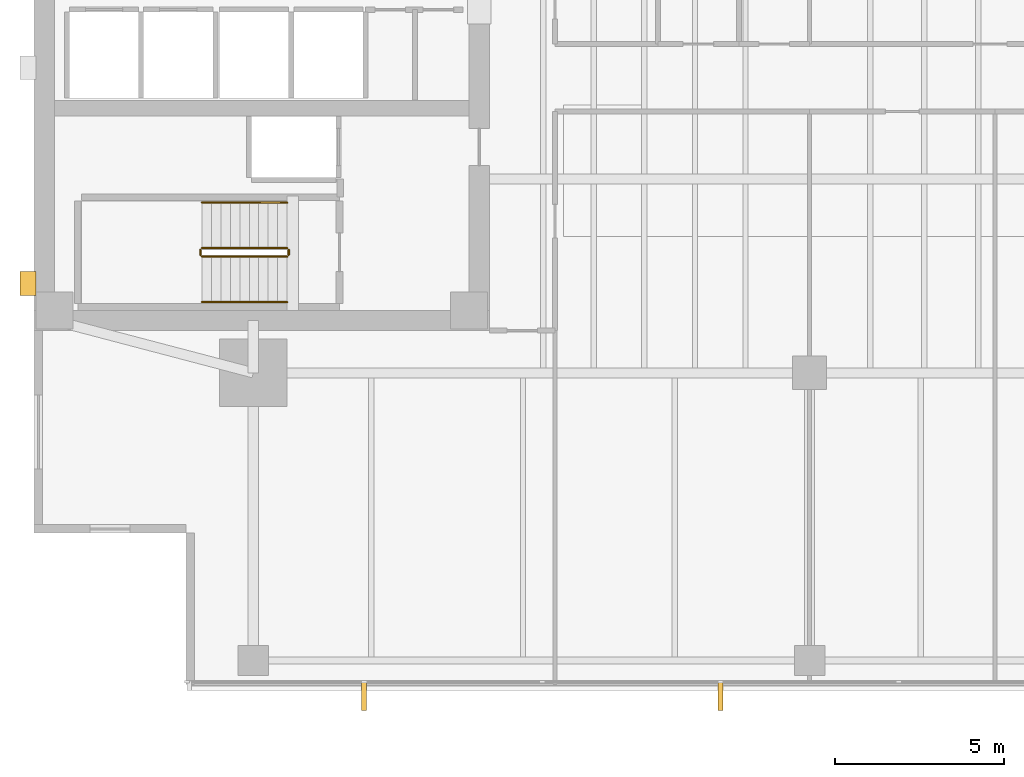
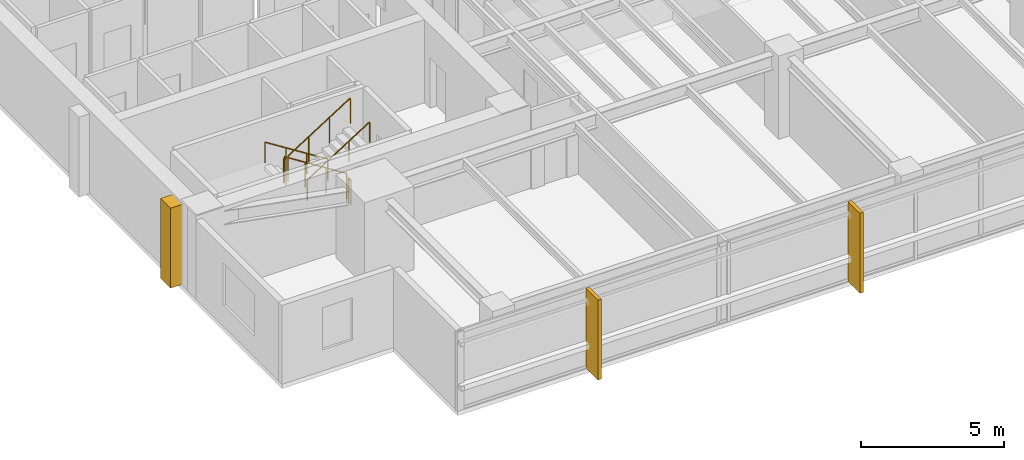
# One storey, part 11 of 15: 6 railings, 3 coverings.
"""IFC4 building model written with IfcOpenShell, lengths in metres."""

from ifc_helpers import new_model, si_unit, direction, frame, origin, origin_2d, place, context, subcontext, project, spatial, polyline, circle, outline, extrude, material, layer, layer_set, type_object, element, save


model = new_model("IFC4")

# Units and contexts
model_context = context("Model", 3, precision=1e-05, world=origin(), true_north=direction((0.0, 1.0)))
body_context = subcontext(model_context, "Body", "Model", "MODEL_VIEW")
ifc_project = project(units=[si_unit("LENGTHUNIT", "METRE"), si_unit("AREAUNIT", "SQUARE_METRE"), si_unit("VOLUMEUNIT", "CUBIC_METRE"), si_unit("PLANEANGLEUNIT", "RADIAN"), si_unit("MASSUNIT", "GRAM", prefix="KILO")], contexts=[model_context])

# Site, building, storey
site_placement = place(None, origin())
site = spatial("IfcSite", under=ifc_project, at=site_placement, CompositionType="ELEMENT")
building_placement = place(site_placement, origin())
building = spatial("IfcBuilding", under=site, at=building_placement, Name="Kinhvarn Gate Tower", CompositionType="ELEMENT")
storey_placement = place(building_placement, frame((0.0, 0.0, 112.89990234375)))
storey = spatial("IfcBuildingStorey", under=building, at=storey_placement, Name="L29", CompositionType="ELEMENT", Elevation=112.89990234375)

# Coverings
ifc_material_1 = material(Name="Fired architectural terracotta", Category="masonry")
ifc_layer_1 = layer(ifc_material_1, 0.139892578125)
ifc_layer_set_1 = layer_set([ifc_layer_1], Name="Fired architectural terracotta")
covering_type_1 = type_object("IfcCoveringType", Name="COV-FIN-850", PredefinedType="CLADDING", material=ifc_layer_set_1)
covering_1_placement = place(storey_placement, frame((0.0, 0.0, -0.02001953125)))
element("IfcCovering", 1, at=covering_1_placement, inside=storey, type_object=covering_type_1, Name="Vertical Terracotta Expressive Fin TFN-850 (L29)", PredefinedType="CLADDING", context=body_context, shape_type="SweptSolid", body=[
    extrude(outline(polyline([(14.2158203125, 3.580078125), (14.355712890625, 3.580078125), (14.355712890625, 2.72998046875), (14.2158203125, 2.72998046875), (14.2158203125, 3.580078125)])), origin(), (0.0, 0.0, 1.0), 3.41015625),
])
covering_2_placement = place(storey_placement, frame((0.0, 0.0, -0.02001953125)))
element("IfcCovering", 2, at=covering_2_placement, inside=storey, type_object=covering_type_1, Name="Vertical Terracotta Expressive Fin TFN-850 (L29)", PredefinedType="CLADDING", context=body_context, shape_type="SweptSolid", body=[
    extrude(outline(polyline([(24.787109375, 3.580078125), (24.927001953125, 3.580078125), (24.927001953125, 2.72998046875), (24.787109375, 2.72998046875), (24.787109375, 3.580078125)])), origin(), (0.0, 0.0, 1.0), 3.41015625),
])
ifc_material_2 = material(Name="Precast white architectural concrete C40/50", Category="concrete")
ifc_layer_2 = layer(ifc_material_2, 0.47998046875)
ifc_layer_set_2 = layer_set([ifc_layer_2], Name="Precast white architectural concrete C40/50")
covering_type_2 = type_object("IfcCoveringType", Name="COV-RIB-450", PredefinedType="CLADDING", material=ifc_layer_set_2)
covering_3_placement = place(storey_placement, frame((0.0, 0.0, -0.02001953125)))
element("IfcCovering", 3, at=covering_3_placement, inside=storey, type_object=covering_type_2, Name="West Core Sculptural Concrete Relief Rib CRB-450 (L29)", PredefinedType="CLADDING", context=body_context, shape_type="SweptSolid", body=[
    extrude(outline(polyline([(4.080078125, 15.050048828125), (4.56005859375, 15.050048828125), (4.56005859375, 15.75), (4.080078125, 15.75), (4.080078125, 15.050048828125)])), origin(), (0.0, 0.0, 1.0), 3.41015625),
])

# Railings
ifc_material_3 = material(Name="Steel S355", Category="steel")
railing_type_1 = type_object("IfcRailingType", Name="RL-ST-GRD", PredefinedType="BALUSTRADE", material=ifc_material_3)
railing_1_placement = place(storey_placement, frame((12.0, 16.449951171875, 0.177490234375)))
element("IfcRailing", 4, at=railing_1_placement, inside=storey, type_object=railing_type_1, Name="L29 ST1 stair guard 1", PredefinedType="BALUSTRADE", context=body_context, shape_type="SweptSolid", body=[
    extrude(circle(Radius=0.02392578125, at=origin_2d()), frame((0.0, 0.0, 1.076171875), z_axis=(-0.84456994832, 0.0, 0.535445237532), x_axis=(0.0, -1.0, 0.0)), (0.0, 0.0, 1.0), 2.98388671875),
    extrude(circle(Radius=0.02099609375, at=origin_2d()), origin(), (0.0, 0.0, 1.0), 1.052001953125),
    extrude(circle(Radius=0.02099609375, at=origin_2d()), frame((-0.840087890625, 0.0, 0.532470703125)), (0.0, 0.0, 1.0), 1.052001953125),
    extrude(circle(Radius=0.02099609375, at=origin_2d()), frame((-1.679931640625, 0.0, 1.065185546875)), (0.0, 0.0, 1.0), 1.052001953125),
    extrude(circle(Radius=0.02099609375, at=origin_2d()), frame((-2.52001953125, 0.0, 1.59765625)), (0.0, 0.0, 1.0), 1.052001953125),
])
railing_2_placement = place(storey_placement, frame((9.429931640625, 16.39990234375, 1.775146484375)))
element("IfcRailing", 5, at=railing_2_placement, inside=storey, type_object=railing_type_1, Name="L29 ST1 stair guard 2", PredefinedType="BALUSTRADE", context=body_context, shape_type="SweptSolid", body=[
    extrude(circle(Radius=0.02392578125, at=origin_2d()), frame((0.0, 0.0, 1.076171875), z_axis=(0.0, -1.0, 0.0), x_axis=(1.0, 0.0, 0.0)), (0.0, 0.0, 1.0), 0.14990234375),
    extrude(circle(Radius=0.02099609375, at=origin_2d()), origin(), (0.0, 0.0, 1.0), 1.052001953125),
    extrude(circle(Radius=0.02099609375, at=origin_2d()), frame((0.0, -0.14990234375, 0.0)), (0.0, 0.0, 1.0), 1.052001953125),
])
railing_3_placement = place(storey_placement, frame((9.47998046875, 16.199951171875, 1.95263671875)))
element("IfcRailing", 6, at=railing_3_placement, inside=storey, type_object=railing_type_1, Name="L29 ST1 stair guard 3", PredefinedType="BALUSTRADE", context=body_context, shape_type="SweptSolid", body=[
    extrude(circle(Radius=0.02392578125, at=origin_2d()), frame((0.0, 0.0, 1.076171875), z_axis=(0.84460694969, 0.0, 0.535386869969), x_axis=(0.0, 1.0, 0.0)), (0.0, 0.0, 1.0), 2.983642578125),
    extrude(circle(Radius=0.02099609375, at=origin_2d()), origin(), (0.0, 0.0, 1.0), 1.052001953125),
    extrude(circle(Radius=0.02099609375, at=origin_2d()), frame((0.840087890625, 0.0, 0.532470703125)), (0.0, 0.0, 1.0), 1.052001953125),
    extrude(circle(Radius=0.02099609375, at=origin_2d()), frame((1.679931640625, 0.0, 1.06494140625)), (0.0, 0.0, 1.0), 1.052001953125),
    extrude(circle(Radius=0.02099609375, at=origin_2d()), frame((2.52001953125, 0.0, 1.597412109375)), (0.0, 0.0, 1.0), 1.052001953125),
])
railing_4_placement = place(storey_placement, frame((12.050048828125, 16.39990234375, 0.0)))
element("IfcRailing", 7, at=railing_4_placement, inside=storey, type_object=railing_type_1, Name="L29 ST1 stair guard 4", PredefinedType="BALUSTRADE", context=body_context, shape_type="SweptSolid", body=[
    extrude(circle(Radius=0.02392578125, at=origin_2d()), frame((0.0, 0.0, 1.076171875), z_axis=(0.0, -1.0, 0.0), x_axis=(1.0, 0.0, 0.0)), (0.0, 0.0, 1.0), 0.14990234375),
    extrude(circle(Radius=0.02099609375, at=origin_2d()), origin(), (0.0, 0.0, 1.0), 1.052001953125),
    extrude(circle(Radius=0.02099609375, at=origin_2d()), frame((0.0, -0.14990234375, 0.0)), (0.0, 0.0, 1.0), 1.052001953125),
])
railing_type_2 = type_object("IfcRailingType", Name="RL-ST-HND", PredefinedType="HANDRAIL", material=ifc_material_3)
railing_5_placement = place(storey_placement, frame((12.0, 17.800048828125, 0.177490234375)))
element("IfcRailing", 8, at=railing_5_placement, inside=storey, type_object=railing_type_2, Name="L29 ST1 stair handrail 1", PredefinedType="HANDRAIL", context=body_context, shape_type="SweptSolid", body=[
    extrude(circle(Radius=0.02392578125, at=origin_2d()), frame((0.0, 0.0, 0.8759765625), z_axis=(-0.84456994832, 0.0, 0.535445237532), x_axis=(0.0, -1.0, 0.0)), (0.0, 0.0, 1.0), 2.98388671875),
    extrude(circle(Radius=0.02099609375, at=origin_2d()), origin(), (0.0, 0.0, 1.0), 0.851806640625),
    extrude(circle(Radius=0.02099609375, at=origin_2d()), frame((-0.840087890625, 0.0, 0.532470703125)), (0.0, 0.0, 1.0), 0.851806640625),
    extrude(circle(Radius=0.02099609375, at=origin_2d()), frame((-1.679931640625, 0.0, 1.065185546875)), (0.0, 0.0, 1.0), 0.851806640625),
    extrude(circle(Radius=0.02099609375, at=origin_2d()), frame((-2.52001953125, 0.0, 1.59765625)), (0.0, 0.0, 1.0), 0.851806640625),
])
railing_6_placement = place(storey_placement, frame((9.47998046875, 14.85009765625, 1.95263671875)))
element("IfcRailing", 9, at=railing_6_placement, inside=storey, type_object=railing_type_2, Name="L29 ST1 stair handrail 2", PredefinedType="HANDRAIL", context=body_context, shape_type="SweptSolid", body=[
    extrude(circle(Radius=0.02392578125, at=origin_2d()), frame((0.0, 0.0, 0.8759765625), z_axis=(0.84460694969, 0.0, 0.535386869969), x_axis=(0.0, 1.0, 0.0)), (0.0, 0.0, 1.0), 2.983642578125),
    extrude(circle(Radius=0.02099609375, at=origin_2d()), origin(), (0.0, 0.0, 1.0), 0.851806640625),
    extrude(circle(Radius=0.02099609375, at=origin_2d()), frame((0.840087890625, 0.0, 0.532470703125)), (0.0, 0.0, 1.0), 0.851806640625),
    extrude(circle(Radius=0.02099609375, at=origin_2d()), frame((1.679931640625, 0.0, 1.06494140625)), (0.0, 0.0, 1.0), 0.851806640625),
    extrude(circle(Radius=0.02099609375, at=origin_2d()), frame((2.52001953125, 0.0, 1.597412109375)), (0.0, 0.0, 1.0), 0.851806640625),
])

save(model, "model.ifc")
